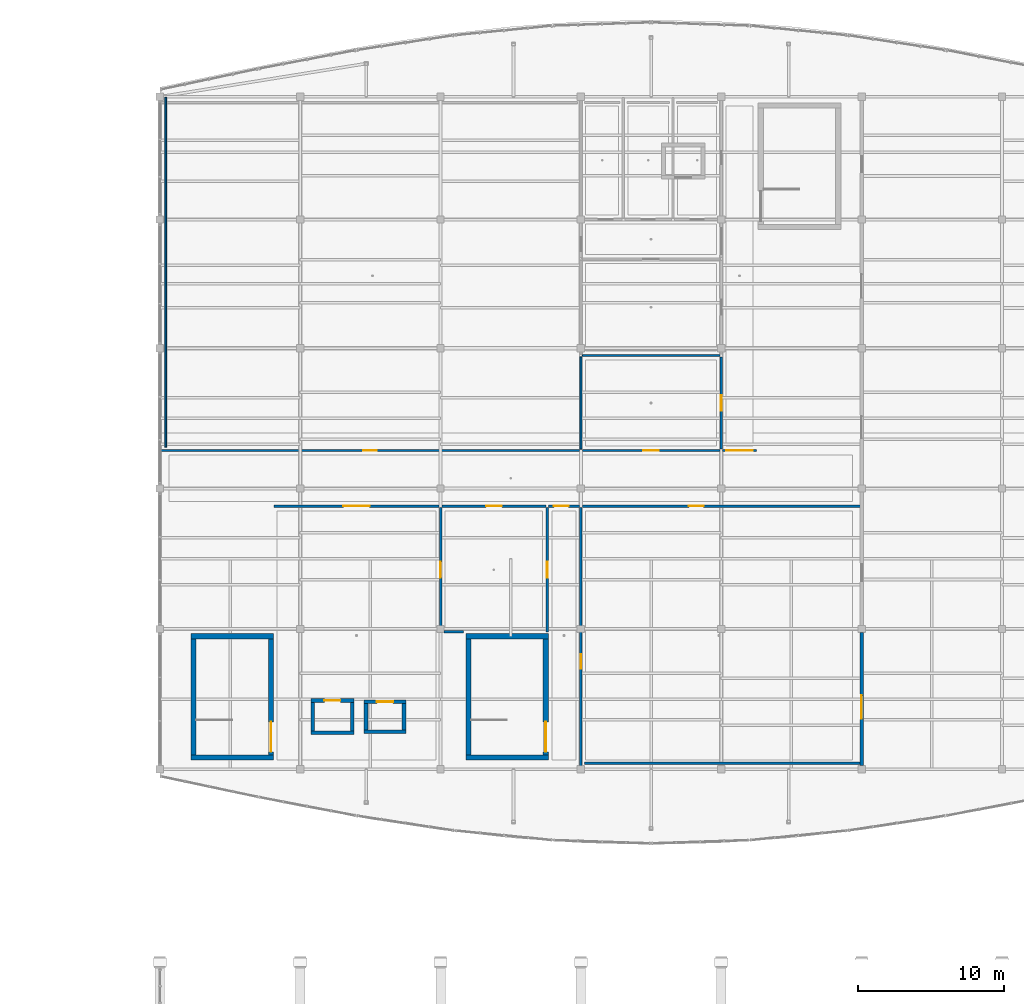
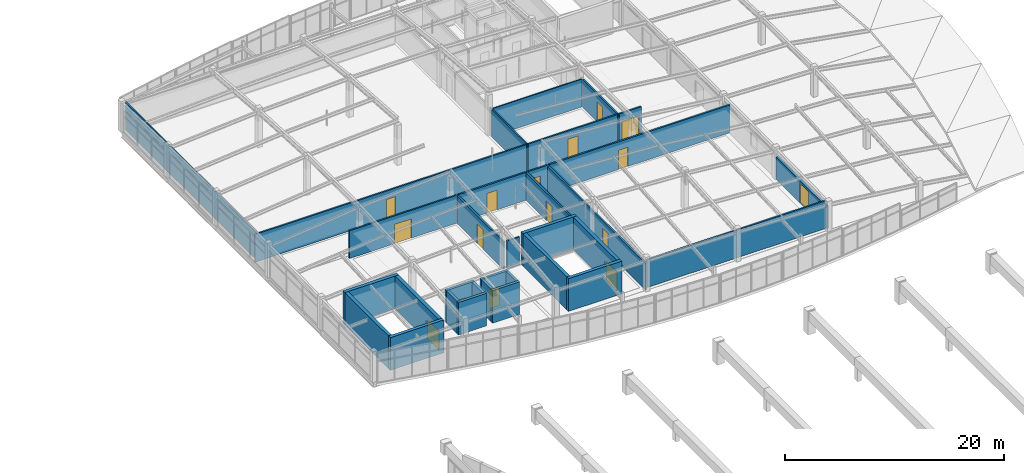
# One storey, part 60 of 65: 33 walls, 16 doors, 16 openings.
"""IFC4 building model written with IfcOpenShell, lengths in metres."""

from ifc_helpers import new_model, si_unit, direction, frame, frame_2d, origin, place, context, subcontext, project, spatial, rectangle, extrude, material, layer, layer_set, type_object, element, fill, save


model = new_model("IFC4")

# Units and contexts
model_context = context("Model", 3, precision=1e-05, world=origin(), true_north=direction((0.0, 1.0)))
body_context = subcontext(model_context, "Body", "Model", "MODEL_VIEW")
ifc_project = project(units=[si_unit("LENGTHUNIT", "METRE"), si_unit("AREAUNIT", "SQUARE_METRE"), si_unit("VOLUMEUNIT", "CUBIC_METRE"), si_unit("PLANEANGLEUNIT", "RADIAN"), si_unit("MASSUNIT", "GRAM", prefix="KILO")], contexts=[model_context])

# Site, building, storey
site_placement = place(None, origin())
site = spatial("IfcSite", under=ifc_project, at=site_placement, CompositionType="ELEMENT")
building_placement = place(site_placement, origin())
building = spatial("IfcBuilding", under=site, at=building_placement, Name="Chalmorin Arch Market", CompositionType="ELEMENT")
storey_placement = place(building_placement, frame((0.0, 0.0, 14.10009765625)))
storey = spatial("IfcBuildingStorey", under=building, at=storey_placement, Name="L03", CompositionType="ELEMENT", Elevation=14.10009765625)

# Wall, opening, door
ifc_material_1 = material(Name="Gypsum Board Partition")
ifc_layer_1 = layer(ifc_material_1, 0.175048828125)
ifc_layer_set_1 = layer_set([ifc_layer_1], Name="Gypsum Board Partition")
wall_type_1 = type_object("IfcWallType", Name="AcousticStudioPartition-175", PredefinedType="PARTITIONING", material=ifc_layer_set_1)
wall_1_placement = place(storey_placement, frame((67.199951171875, 81.39990234375, 0.0), z_axis=(0.0, 0.0, 1.0), x_axis=(0.0, 1.0, 0.0)))
wall_1 = element("IfcWall", 1, at=wall_1_placement, inside=storey, type_object=wall_type_1, Name="ASP-175-588", PredefinedType="PARTITIONING", context=body_context, shape_type="SweptSolid", body=[
    extrude(rectangle(XDim=8.5, YDim=0.175048828125, at=frame_2d((4.25, 0.0))), origin(), (0.0, 0.0, 1.0), 3.099853515625),
])
opening_1_placement = place(wall_1_placement, frame((3.7099609375, 0.0, 0.0)))
opening_1 = element("IfcOpeningElement", 2, at=opening_1_placement, cuts=wall_1, Name="Opening ID-196", PredefinedType="OPENING", context=body_context, shape_type="SweptSolid", body=[
    extrude(rectangle(XDim=1.080078125, YDim=2.179931640625, at=frame_2d((0.5400390625, 1.08984375))), frame((0.0, 0.097412109375, 0.0), z_axis=(0.0, -1.0, 0.0), x_axis=(1.0, 0.0, 0.0)), (0.0, 0.0, 1.0), 0.195068359375),
])
ifc_material_2 = material(Name="Oak Engineered Timber", Category="wood")
door_type_1 = type_object("IfcDoorType", Name="LaboratoryVisionDoor-1080x2180", OperationType="NOTDEFINED", PredefinedType="DOOR", material=ifc_material_2)
door_1_placement = place(opening_1_placement, origin())
door_1 = element("IfcDoor", 3, at=door_1_placement, inside=storey, type_object=door_type_1, Name="ID-196", OperationType="SINGLE_SWING_RIGHT", OverallHeight=2.179931640625, OverallWidth=1.080078125, PredefinedType="DOOR", context=body_context, shape_type="SweptSolid", body=[
    extrude(rectangle(XDim=1.080078125, YDim=2.179931640625, at=frame_2d((0.5400390625, 1.08984375))), frame((0.0, 0.02490234375, 0.0), z_axis=(0.0, -1.0, 0.0), x_axis=(1.0, 0.0, 0.0)), (0.0, 0.0, 1.0), 0.050048828125),
])
fill(opening_1, door_1)

wall_2_placement = place(storey_placement, frame((74.5, 81.39990234375, 0.0), z_axis=(0.0, 0.0, 1.0), x_axis=(0.0, 1.0, 0.0)))
wall_2 = element("IfcWall", 4, at=wall_2_placement, inside=storey, type_object=wall_type_1, Name="ASP-175-590", PredefinedType="PARTITIONING", context=body_context, shape_type="SweptSolid", body=[
    extrude(rectangle(XDim=8.5, YDim=0.175048828125, at=frame_2d((4.25, 0.0))), origin(), (0.0, 0.0, 1.0), 3.099853515625),
])
opening_2_placement = place(wall_2_placement, frame((3.7099609375, 0.0, 0.0)))
opening_2 = element("IfcOpeningElement", 5, at=opening_2_placement, cuts=wall_2, Name="Opening ID-198", PredefinedType="OPENING", context=body_context, shape_type="SweptSolid", body=[
    extrude(rectangle(XDim=1.080078125, YDim=2.179931640625, at=frame_2d((0.5400390625, 1.08984375))), frame((0.0, 0.097412109375, 0.0), z_axis=(0.0, -1.0, 0.0), x_axis=(1.0, 0.0, 0.0)), (0.0, 0.0, 1.0), 0.195068359375),
])
door_2_placement = place(opening_2_placement, origin())
door_2 = element("IfcDoor", 6, at=door_2_placement, inside=storey, type_object=door_type_1, Name="ID-198", OperationType="SINGLE_SWING_RIGHT", OverallHeight=2.179931640625, OverallWidth=1.080078125, PredefinedType="DOOR", context=body_context, shape_type="SweptSolid", body=[
    extrude(rectangle(XDim=1.080078125, YDim=2.179931640625, at=frame_2d((0.5400390625, 1.08984375))), frame((0.0, 0.02490234375, 0.0), z_axis=(0.0, -1.0, 0.0), x_axis=(1.0, 0.0, 0.0)), (0.0, 0.0, 1.0), 0.050048828125),
])
fill(opening_2, door_2)

wall_3_placement = place(storey_placement, frame((76.800048828125, 72.050048828125, 0.0), z_axis=(0.0, 0.0, 1.0), x_axis=(0.0, 1.0, 0.0)))
wall_3 = element("IfcWall", 7, at=wall_3_placement, inside=storey, type_object=wall_type_1, Name="ASP-175-591", PredefinedType="PARTITIONING", context=body_context, shape_type="SweptSolid", body=[
    extrude(rectangle(XDim=17.849853515625, YDim=0.175048828125, at=frame_2d((8.9248046875, 0.0))), origin(), (0.0, 0.0, 1.0), 2.991943359375),
])
opening_3_placement = place(wall_3_placement, frame((6.81201171875, 0.0, 0.0)))
opening_3 = element("IfcOpeningElement", 8, at=opening_3_placement, cuts=wall_3, Name="Opening ID-199", PredefinedType="OPENING", context=body_context, shape_type="SweptSolid", body=[
    extrude(rectangle(XDim=1.0, YDim=2.14990234375, at=frame_2d((0.5, 1.074951171875))), frame((0.0, 0.097412109375, 0.0), z_axis=(0.0, -1.0, 0.0), x_axis=(1.0, 0.0, 0.0)), (0.0, 0.0, 1.0), 0.195068359375),
])
door_type_2 = type_object("IfcDoorType", Name="ClassroomAcousticDoor-1000x2150", OperationType="NOTDEFINED", PredefinedType="DOOR", material=ifc_material_2)
door_3_placement = place(opening_3_placement, origin())
door_3 = element("IfcDoor", 9, at=door_3_placement, inside=storey, type_object=door_type_2, Name="ID-199", OperationType="SINGLE_SWING_LEFT", OverallHeight=2.14990234375, OverallWidth=1.0, PredefinedType="DOOR", context=body_context, shape_type="SweptSolid", body=[
    extrude(rectangle(XDim=1.0, YDim=2.14990234375, at=frame_2d((0.5, 1.074951171875))), frame((0.0, 0.02490234375, 0.0), z_axis=(0.0, -1.0, 0.0), x_axis=(1.0, 0.0, 0.0)), (0.0, 0.0, 1.0), 0.050048828125),
])
fill(opening_3, door_3)

wall_4_placement = place(storey_placement, frame((67.300048828125, 90.0, 0.0), z_axis=(0.0, 0.0, 1.0), x_axis=(1.0, 0.0, 0.0)))
wall_4 = element("IfcWall", 10, at=wall_4_placement, inside=storey, type_object=wall_type_1, Name="ASP-175-593", PredefinedType="PARTITIONING", context=body_context, shape_type="SweptSolid", body=[
    extrude(rectangle(XDim=7.099853515625, YDim=0.175048828125, at=frame_2d((3.5498046875, 0.0))), origin(), (0.0, 0.0, 1.0), 3.099853515625),
])
opening_4_placement = place(wall_4_placement, frame((3.010009765625, 0.0, 0.0)))
opening_4 = element("IfcOpeningElement", 11, at=opening_4_placement, cuts=wall_4, Name="Opening ID-201", PredefinedType="OPENING", context=body_context, shape_type="SweptSolid", body=[
    extrude(rectangle(XDim=1.080078125, YDim=2.179931640625, at=frame_2d((0.5400390625, 1.08984375))), frame((0.0, 0.097412109375, 0.0), z_axis=(0.0, -1.0, 0.0), x_axis=(1.0, 0.0, 0.0)), (0.0, 0.0, 1.0), 0.195068359375),
])
door_4_placement = place(opening_4_placement, origin())
door_4 = element("IfcDoor", 12, at=door_4_placement, inside=storey, type_object=door_type_1, Name="ID-201", OperationType="SINGLE_SWING_LEFT", OverallHeight=2.179931640625, OverallWidth=1.080078125, PredefinedType="DOOR", context=body_context, shape_type="SweptSolid", body=[
    extrude(rectangle(XDim=1.080078125, YDim=2.179931640625, at=frame_2d((0.5400390625, 1.08984375))), frame((0.0, 0.02490234375, 0.0), z_axis=(0.0, -1.0, 0.0), x_axis=(1.0, 0.0, 0.0)), (0.0, 0.0, 1.0), 0.050048828125),
])
fill(opening_4, door_4)

wall_5_placement = place(storey_placement, frame((76.89990234375, 90.0, 0.0), z_axis=(0.0, 0.0, 1.0), x_axis=(1.0, 0.0, 0.0)))
wall_5 = element("IfcWall", 13, at=wall_5_placement, inside=storey, type_object=wall_type_1, Name="ASP-175-594", PredefinedType="PARTITIONING", context=body_context, shape_type="SweptSolid", body=[
    extrude(rectangle(XDim=19.050048828125, YDim=0.175048828125, at=frame_2d((9.52490234375, 0.0))), origin(), (0.0, 0.0, 1.0), 3.099853515625),
])
opening_5_placement = place(wall_5_placement, frame((7.2919921875, 0.0, 0.0)))
opening_5 = element("IfcOpeningElement", 14, at=opening_5_placement, cuts=wall_5, Name="Opening ID-202", PredefinedType="OPENING", context=body_context, shape_type="SweptSolid", body=[
    extrude(rectangle(XDim=1.0, YDim=2.14990234375, at=frame_2d((0.5, 1.074951171875))), frame((0.0, 0.097412109375, 0.0), z_axis=(0.0, -1.0, 0.0), x_axis=(1.0, 0.0, 0.0)), (0.0, 0.0, 1.0), 0.195068359375),
])
door_5_placement = place(opening_5_placement, origin())
door_5 = element("IfcDoor", 15, at=door_5_placement, inside=storey, type_object=door_type_2, Name="ID-202", OperationType="SINGLE_SWING_RIGHT", OverallHeight=2.14990234375, OverallWidth=1.0, PredefinedType="DOOR", context=body_context, shape_type="SweptSolid", body=[
    extrude(rectangle(XDim=1.0, YDim=2.14990234375, at=frame_2d((0.5, 1.074951171875))), frame((0.0, 0.02490234375, 0.0), z_axis=(0.0, -1.0, 0.0), x_axis=(1.0, 0.0, 0.0)), (0.0, 0.0, 1.0), 0.050048828125),
])
fill(opening_5, door_5)

# Walls
wall_6_placement = place(storey_placement, frame((67.43994140625, 81.39990234375, 0.0), z_axis=(0.0, 0.0, 1.0), x_axis=(1.0, 0.0, 0.0)))
element("IfcWall", 16, at=wall_6_placement, inside=storey, type_object=wall_type_1, Name="ASP-175-613", PredefinedType="PARTITIONING", context=body_context, shape_type="SweptSolid", body=[
    extrude(rectangle(XDim=1.344970703125, YDim=0.175048828125, at=frame_2d((0.67236328125, 0.0))), origin(), (0.0, 0.0, 1.0), 3.099853515625),
])
wall_7_placement = place(storey_placement, frame((77.0400390625, 72.39990234375, 0.0), z_axis=(0.0, 0.0, 1.0), x_axis=(1.0, 0.0, 0.0)))
element("IfcWall", 17, at=wall_7_placement, inside=storey, type_object=wall_type_1, Name="ASP-175-614", PredefinedType="PARTITIONING", context=body_context, shape_type="SweptSolid", body=[
    extrude(rectangle(XDim=18.909912109375, YDim=0.175048828125, at=frame_2d((9.455078125, 0.0))), origin(), (0.0, 0.0, 1.0), 3.099853515625),
])
ifc_material_3 = material(Name="Concrete C40/50", Category="concrete")
ifc_layer_2 = layer(ifc_material_3, 0.35009765625)
ifc_layer_set_2 = layer_set([ifc_layer_2], Name="Concrete C40/50")
wall_type_2 = type_object("IfcWallType", Name="CoreShearWall-350", PredefinedType="SHEAR", material=ifc_layer_set_2)
for number, where, z_axis, x_axis, name in (
    (18, (55.77490234375, 72.800048828125, 0.0), (0.0, 0.0, 1.0), (-1.0, 0.0, 0.0), "CSW-350-081"),
    (19, (50.125, 81.10009765625, 0.0), (0.0, 0.0, 1.0), (1.0, 0.0, 0.0), "CSW-350-082"),
):
    element("IfcWall", number, at=place(storey_placement, frame(where, z_axis=z_axis, x_axis=x_axis)), inside=storey, type_object=wall_type_2, Name=name, PredefinedType="SHEAR", context=body_context, shape_type="SweptSolid", body=[
        extrude(rectangle(XDim=5.64990234375, YDim=0.35009765625, at=frame_2d((2.824951171875, 0.0))), origin(), (0.0, 0.0, 1.0), 3.64990234375),
    ])
wall_8_placement = place(storey_placement, frame((50.300048828125, 72.97509765625, 0.0), z_axis=(0.0, 0.0, 1.0), x_axis=(0.0, 1.0, 0.0)))
element("IfcWall", 20, at=wall_8_placement, inside=storey, type_object=wall_type_2, Name="CSW-350-083", PredefinedType="SHEAR", context=body_context, shape_type="SweptSolid", body=[
    extrude(rectangle(XDim=7.949951171875, YDim=0.35009765625, at=frame_2d((3.97509765625, 0.0))), origin(), (0.0, 0.0, 1.0), 3.64990234375),
])

# Wall, opening, door
wall_9_placement = place(storey_placement, frame((55.60009765625, 80.925048828125, 0.0), z_axis=(0.0, 0.0, 1.0), x_axis=(0.0, -1.0, 0.0)))
wall_9 = element("IfcWall", 21, at=wall_9_placement, inside=storey, type_object=wall_type_2, Name="CSW-350-084", PredefinedType="SHEAR", context=body_context, shape_type="SweptSolid", body=[
    extrude(rectangle(XDim=7.949951171875, YDim=0.35009765625, at=frame_2d((3.97509765625, 0.0))), origin(), (0.0, 0.0, 1.0), 3.64990234375),
])
opening_6_placement = place(wall_9_placement, frame((5.679931640625, 0.0, 0.0)))
opening_6 = element("IfcOpeningElement", 22, at=opening_6_placement, cuts=wall_9, Name="Opening FD-SC5-L03", PredefinedType="OPENING", context=body_context, shape_type="SweptSolid", body=[
    extrude(rectangle(XDim=2.050048828125, YDim=2.14990234375, at=frame_2d((1.02490234375, 1.074951171875))), frame((0.0, 0.18505859375, 0.0), z_axis=(0.0, -1.0, 0.0), x_axis=(1.0, 0.0, 0.0)), (0.0, 0.0, 1.0), 0.3701171875),
])
ifc_material_4 = material(Name="Galvanised Steel", Category="steel")
door_type_3 = type_object("IfcDoorType", Name="DoubleFireExitDoor-2050x2150", OperationType="DOUBLE_DOOR_SINGLE_SWING", PredefinedType="DOOR", material=ifc_material_4)
door_6_placement = place(opening_6_placement, origin())
door_6 = element("IfcDoor", 23, at=door_6_placement, inside=storey, type_object=door_type_3, Name="FD-SC5-L03", OperationType="DOUBLE_DOOR_SINGLE_SWING", OverallHeight=2.14990234375, OverallWidth=2.050048828125, PredefinedType="DOOR", context=body_context, shape_type="SweptSolid", body=[
    extrude(rectangle(XDim=2.050048828125, YDim=2.14990234375, at=frame_2d((1.02490234375, 1.074951171875))), frame((0.0, 0.02490234375, 0.0), z_axis=(0.0, -1.0, 0.0), x_axis=(1.0, 0.0, 0.0)), (0.0, 0.0, 1.0), 0.050048828125),
])
fill(opening_6, door_6)

# Walls
for number, where, z_axis, x_axis, name in (
    (24, (74.574951171875, 72.800048828125, 0.0), (0.0, 0.0, 1.0), (-1.0, 0.0, 0.0), "CSW-350-121"),
    (25, (68.925048828125, 81.10009765625, 0.0), (0.0, 0.0, 1.0), (1.0, 0.0, 0.0), "CSW-350-122"),
):
    element("IfcWall", number, at=place(storey_placement, frame(where, z_axis=z_axis, x_axis=x_axis)), inside=storey, type_object=wall_type_2, Name=name, PredefinedType="SHEAR", context=body_context, shape_type="SweptSolid", body=[
        extrude(rectangle(XDim=5.64990234375, YDim=0.35009765625, at=frame_2d((2.824951171875, 0.0))), origin(), (0.0, 0.0, 1.0), 3.64990234375),
    ])
wall_10_placement = place(storey_placement, frame((69.10009765625, 72.97509765625, 0.0), z_axis=(0.0, 0.0, 1.0), x_axis=(0.0, 1.0, 0.0)))
element("IfcWall", 26, at=wall_10_placement, inside=storey, type_object=wall_type_2, Name="CSW-350-123", PredefinedType="SHEAR", context=body_context, shape_type="SweptSolid", body=[
    extrude(rectangle(XDim=7.949951171875, YDim=0.35009765625, at=frame_2d((3.97509765625, 0.0))), origin(), (0.0, 0.0, 1.0), 3.64990234375),
])

# Wall, opening, door
wall_11_placement = place(storey_placement, frame((74.39990234375, 80.925048828125, 0.0), z_axis=(0.0, 0.0, 1.0), x_axis=(0.0, -1.0, 0.0)))
wall_11 = element("IfcWall", 27, at=wall_11_placement, inside=storey, type_object=wall_type_2, Name="CSW-350-124", PredefinedType="SHEAR", context=body_context, shape_type="SweptSolid", body=[
    extrude(rectangle(XDim=7.949951171875, YDim=0.35009765625, at=frame_2d((3.97509765625, 0.0))), origin(), (0.0, 0.0, 1.0), 3.64990234375),
])
opening_7_placement = place(wall_11_placement, frame((5.679931640625, 0.0, 0.0)))
opening_7 = element("IfcOpeningElement", 28, at=opening_7_placement, cuts=wall_11, Name="Opening FD-SC7-L03", PredefinedType="OPENING", context=body_context, shape_type="SweptSolid", body=[
    extrude(rectangle(XDim=2.050048828125, YDim=2.14990234375, at=frame_2d((1.02490234375, 1.074951171875))), frame((0.0, 0.18505859375, 0.0), z_axis=(0.0, -1.0, 0.0), x_axis=(1.0, 0.0, 0.0)), (0.0, 0.0, 1.0), 0.3701171875),
])
door_7_placement = place(opening_7_placement, origin())
door_7 = element("IfcDoor", 29, at=door_7_placement, inside=storey, type_object=door_type_3, Name="FD-SC7-L03", OperationType="DOUBLE_DOOR_SINGLE_SWING", OverallHeight=2.14990234375, OverallWidth=2.050048828125, PredefinedType="DOOR", context=body_context, shape_type="SweptSolid", body=[
    extrude(rectangle(XDim=2.050048828125, YDim=2.14990234375, at=frame_2d((1.02490234375, 1.074951171875))), frame((0.0, 0.02490234375, 0.0), z_axis=(0.0, -1.0, 0.0), x_axis=(1.0, 0.0, 0.0)), (0.0, 0.0, 1.0), 0.050048828125),
])
fill(opening_7, door_7)

ifc_layer_3 = layer(ifc_material_1, 0.159912109375)
ifc_layer_set_3 = layer_set([ifc_layer_3], Name="Gypsum Board Partition")
wall_type_3 = type_object("IfcWallType", Name="CorridorRatedPartition-160", PredefinedType="PARTITIONING", material=ifc_layer_set_3)
wall_12_placement = place(storey_placement, frame((55.800048828125, 90.0, 0.0), z_axis=(0.0, 0.0, 1.0), x_axis=(1.0, 0.0, 0.0)))
wall_12 = element("IfcWall", 30, at=wall_12_placement, inside=storey, type_object=wall_type_3, Name="CRP-160-589", PredefinedType="PARTITIONING", context=body_context, shape_type="SweptSolid", body=[
    extrude(rectangle(XDim=11.300048828125, YDim=0.159912109375, at=frame_2d((5.64990234375, 0.0))), origin(), (0.0, 0.0, 1.0), 3.099853515625),
])
opening_8_placement = place(wall_12_placement, frame((4.75, 0.0, 0.0)))
opening_8 = element("IfcOpeningElement", 31, at=opening_8_placement, cuts=wall_12, Name="Opening ID-197", PredefinedType="OPENING", context=body_context, shape_type="SweptSolid", body=[
    extrude(rectangle(XDim=1.800048828125, YDim=2.14990234375, at=frame_2d((0.89990234375, 1.074951171875))), frame((0.0, 0.08984375, 0.0), z_axis=(0.0, -1.0, 0.0), x_axis=(1.0, 0.0, 0.0)), (0.0, 0.0, 1.0), 0.179931640625),
])
door_type_4 = type_object("IfcDoorType", Name="CorridorFireDoubleDoor-1800x2150", OperationType="DOUBLE_DOOR_SINGLE_SWING", PredefinedType="DOOR", material=ifc_material_4)
door_8_placement = place(opening_8_placement, origin())
door_8 = element("IfcDoor", 32, at=door_8_placement, inside=storey, type_object=door_type_4, Name="ID-197", OperationType="DOUBLE_DOOR_SINGLE_SWING", OverallHeight=2.14990234375, OverallWidth=1.800048828125, PredefinedType="DOOR", context=body_context, shape_type="SweptSolid", body=[
    extrude(rectangle(XDim=1.800048828125, YDim=2.14990234375, at=frame_2d((0.89990234375, 1.074951171875))), frame((0.0, 0.02490234375, 0.0), z_axis=(0.0, -1.0, 0.0), x_axis=(1.0, 0.0, 0.0)), (0.0, 0.0, 1.0), 0.050048828125),
])
fill(opening_8, door_8)

wall_13_placement = place(storey_placement, frame((74.60009765625, 90.0, 0.0), z_axis=(0.0, 0.0, 1.0), x_axis=(1.0, 0.0, 0.0)))
wall_13 = element("IfcWall", 33, at=wall_13_placement, inside=storey, type_object=wall_type_3, Name="CRP-160-592", PredefinedType="PARTITIONING", context=body_context, shape_type="SweptSolid", body=[
    extrude(rectangle(XDim=2.099853515625, YDim=0.159912109375, at=frame_2d((1.0498046875, 0.0))), origin(), (0.0, 0.0, 1.0), 3.099853515625),
])
opening_9_placement = place(wall_13_placement, frame((0.360107421875, 0.0, 0.0)))
opening_9 = element("IfcOpeningElement", 34, at=opening_9_placement, cuts=wall_13, Name="Opening ID-200", PredefinedType="OPENING", context=body_context, shape_type="SweptSolid", body=[
    extrude(rectangle(XDim=1.0, YDim=2.14990234375, at=frame_2d((0.5, 1.074951171875))), frame((0.0, 0.08984375, 0.0), z_axis=(0.0, -1.0, 0.0), x_axis=(1.0, 0.0, 0.0)), (0.0, 0.0, 1.0), 0.179931640625),
])
door_9_placement = place(opening_9_placement, origin())
door_9 = element("IfcDoor", 35, at=door_9_placement, inside=storey, type_object=door_type_2, Name="ID-200", OperationType="SINGLE_SWING_RIGHT", OverallHeight=2.14990234375, OverallWidth=1.0, PredefinedType="DOOR", context=body_context, shape_type="SweptSolid", body=[
    extrude(rectangle(XDim=1.0, YDim=2.14990234375, at=frame_2d((0.5, 1.074951171875))), frame((0.0, 0.02490234375, 0.0), z_axis=(0.0, -1.0, 0.0), x_axis=(1.0, 0.0, 0.0)), (0.0, 0.0, 1.0), 0.050048828125),
])
fill(opening_9, door_9)

wall_14_placement = place(storey_placement, frame((86.5, 93.800048828125, 0.0), z_axis=(0.0, 0.0, 1.0), x_axis=(1.0, 0.0, 0.0)))
wall_14 = element("IfcWall", 36, at=wall_14_placement, inside=storey, type_object=wall_type_3, Name="CRP-160-595", PredefinedType="PARTITIONING", context=body_context, shape_type="SweptSolid", body=[
    extrude(rectangle(XDim=2.300048828125, YDim=0.159912109375, at=frame_2d((1.14990234375, 0.0))), origin(), (0.0, 0.0, 1.0), 3.099853515625),
])
opening_10_placement = place(wall_14_placement, frame((0.25, 0.0, 0.0)))
opening_10 = element("IfcOpeningElement", 37, at=opening_10_placement, cuts=wall_14, Name="Opening ID-203", PredefinedType="OPENING", context=body_context, shape_type="SweptSolid", body=[
    extrude(rectangle(XDim=1.800048828125, YDim=2.14990234375, at=frame_2d((0.89990234375, 1.074951171875))), frame((0.0, 0.08984375, 0.0), z_axis=(0.0, -1.0, 0.0), x_axis=(1.0, 0.0, 0.0)), (0.0, 0.0, 1.0), 0.179931640625),
])
door_10_placement = place(opening_10_placement, origin())
door_10 = element("IfcDoor", 38, at=door_10_placement, inside=storey, type_object=door_type_4, Name="ID-203", OperationType="DOUBLE_DOOR_SINGLE_SWING", OverallHeight=2.14990234375, OverallWidth=1.800048828125, PredefinedType="DOOR", context=body_context, shape_type="SweptSolid", body=[
    extrude(rectangle(XDim=1.800048828125, YDim=2.14990234375, at=frame_2d((0.89990234375, 1.074951171875))), frame((0.0, 0.02490234375, 0.0), z_axis=(0.0, -1.0, 0.0), x_axis=(1.0, 0.0, 0.0)), (0.0, 0.0, 1.0), 0.050048828125),
])
fill(opening_10, door_10)

wall_15_placement = place(storey_placement, frame((48.050048828125, 93.800048828125, 0.0), z_axis=(0.0, 0.0, 1.0), x_axis=(1.0, 0.0, 0.0)))
wall_15 = element("IfcWall", 39, at=wall_15_placement, inside=storey, type_object=wall_type_3, Name="CRP-160-596", PredefinedType="PARTITIONING", context=body_context, shape_type="SweptSolid", body=[
    extrude(rectangle(XDim=28.64990234375, YDim=0.159912109375, at=frame_2d((14.324951171875, 0.0))), origin(), (0.0, 0.0, 1.0), 3.099853515625),
])
opening_11_placement = place(wall_15_placement, frame((13.85009765625, 0.0, 0.0)))
opening_11 = element("IfcOpeningElement", 40, at=opening_11_placement, cuts=wall_15, Name="Opening ID-204", PredefinedType="OPENING", context=body_context, shape_type="SweptSolid", body=[
    extrude(rectangle(XDim=0.949951171875, YDim=2.14990234375, at=frame_2d((0.47509765625, 1.074951171875))), frame((0.0, 0.08984375, 0.0), z_axis=(0.0, -1.0, 0.0), x_axis=(1.0, 0.0, 0.0)), (0.0, 0.0, 1.0), 0.179931640625),
])
door_type_5 = type_object("IfcDoorType", Name="OfficeTimberDoor-950x2150", OperationType="NOTDEFINED", PredefinedType="DOOR", material=ifc_material_2)
door_11_placement = place(opening_11_placement, origin())
door_11 = element("IfcDoor", 41, at=door_11_placement, inside=storey, type_object=door_type_5, Name="ID-204", OperationType="SINGLE_SWING_RIGHT", OverallHeight=2.14990234375, OverallWidth=0.949951171875, PredefinedType="DOOR", context=body_context, shape_type="SweptSolid", body=[
    extrude(rectangle(XDim=0.949951171875, YDim=2.14990234375, at=frame_2d((0.47509765625, 1.074951171875))), frame((0.0, 0.02490234375, 0.0), z_axis=(0.0, -1.0, 0.0), x_axis=(1.0, 0.0, 0.0)), (0.0, 0.0, 1.0), 0.050048828125),
])
fill(opening_11, door_11)

wall_16_placement = place(storey_placement, frame((76.89990234375, 93.800048828125, 0.0), z_axis=(0.0, 0.0, 1.0), x_axis=(1.0, 0.0, 0.0)))
wall_16 = element("IfcWall", 42, at=wall_16_placement, inside=storey, type_object=wall_type_3, Name="CRP-160-597", PredefinedType="PARTITIONING", context=body_context, shape_type="SweptSolid", body=[
    extrude(rectangle(XDim=9.400146484375, YDim=0.159912109375, at=frame_2d((4.7001953125, 0.0))), origin(), (0.0, 0.0, 1.0), 3.099853515625),
])
opening_12_placement = place(wall_16_placement, frame((4.179931640625, 0.0, 0.0)))
opening_12 = element("IfcOpeningElement", 43, at=opening_12_placement, cuts=wall_16, Name="Opening ID-205", PredefinedType="OPENING", context=body_context, shape_type="SweptSolid", body=[
    extrude(rectangle(XDim=1.0400390625, YDim=2.179931640625, at=frame_2d((0.52001953125, 1.08984375))), frame((0.0, 0.08984375, 0.0), z_axis=(0.0, -1.0, 0.0), x_axis=(1.0, 0.0, 0.0)), (0.0, 0.0, 1.0), 0.179931640625),
])
door_type_6 = type_object("IfcDoorType", Name="CommunityRoomDoor-1040x2180", OperationType="NOTDEFINED", PredefinedType="DOOR", material=ifc_material_2)
door_12_placement = place(opening_12_placement, origin())
door_12 = element("IfcDoor", 44, at=door_12_placement, inside=storey, type_object=door_type_6, Name="ID-205", OperationType="SINGLE_SWING_LEFT", OverallHeight=2.179931640625, OverallWidth=1.0400390625, PredefinedType="DOOR", context=body_context, shape_type="SweptSolid", body=[
    extrude(rectangle(XDim=1.0400390625, YDim=2.179931640625, at=frame_2d((0.52001953125, 1.08984375))), frame((0.0, 0.02490234375, 0.0), z_axis=(0.0, -1.0, 0.0), x_axis=(1.0, 0.0, 0.0)), (0.0, 0.0, 1.0), 0.050048828125),
])
fill(opening_12, door_12)

wall_17_placement = place(storey_placement, frame((86.39990234375, 93.89990234375, 0.0), z_axis=(0.0, 0.0, 1.0), x_axis=(0.0, 1.0, 0.0)))
wall_17 = element("IfcWall", 45, at=wall_17_placement, inside=storey, type_object=wall_type_3, Name="CRP-160-601", PredefinedType="PARTITIONING", context=body_context, shape_type="SweptSolid", body=[
    extrude(rectangle(XDim=6.300048828125, YDim=0.159912109375, at=frame_2d((3.14990234375, 0.0))), origin(), (0.0, 0.0, 1.0), 3.099853515625),
])
opening_13_placement = place(wall_17_placement, frame((2.6298828125, 0.0, 0.0)))
opening_13 = element("IfcOpeningElement", 46, at=opening_13_placement, cuts=wall_17, Name="Opening ID-209", PredefinedType="OPENING", context=body_context, shape_type="SweptSolid", body=[
    extrude(rectangle(XDim=1.0400390625, YDim=2.179931640625, at=frame_2d((0.52001953125, 1.08984375))), frame((0.0, 0.08984375, 0.0), z_axis=(0.0, -1.0, 0.0), x_axis=(1.0, 0.0, 0.0)), (0.0, 0.0, 1.0), 0.179931640625),
])
door_13_placement = place(opening_13_placement, origin())
door_13 = element("IfcDoor", 47, at=door_13_placement, inside=storey, type_object=door_type_6, Name="ID-209", OperationType="SINGLE_SWING_LEFT", OverallHeight=2.179931640625, OverallWidth=1.0400390625, PredefinedType="DOOR", context=body_context, shape_type="SweptSolid", body=[
    extrude(rectangle(XDim=1.0400390625, YDim=2.179931640625, at=frame_2d((0.52001953125, 1.08984375))), frame((0.0, 0.02490234375, 0.0), z_axis=(0.0, -1.0, 0.0), x_axis=(1.0, 0.0, 0.0)), (0.0, 0.0, 1.0), 0.050048828125),
])
fill(opening_13, door_13)

# Walls
ifc_material_5 = material(Name="Powder-coated Aluminium Panel", Category="aluminium")
ifc_layer_4 = layer(ifc_material_5, 0.125)
ifc_layer_set_4 = layer_set([ifc_layer_4], Name="Powder-coated Aluminium Panel")
wall_type_4 = type_object("IfcWallType", Name="DemountableStudStallPartition-125", PredefinedType="PARTITIONING", material=ifc_layer_set_4)
wall_18_placement = place(storey_placement, frame((76.800048828125, 93.89990234375, 0.0), z_axis=(0.0, 0.0, 1.0), x_axis=(0.0, 1.0, 0.0)))
element("IfcWall", 48, at=wall_18_placement, inside=storey, type_object=wall_type_4, Name="DSP-125-605", PredefinedType="PARTITIONING", context=body_context, shape_type="SweptSolid", body=[
    extrude(rectangle(XDim=6.300048828125, YDim=0.125, at=frame_2d((3.14990234375, 0.0))), origin(), (0.0, 0.0, 1.0), 3.099853515625),
])
wall_19_placement = place(storey_placement, frame((76.89990234375, 100.300048828125, 0.0), z_axis=(0.0, 0.0, 1.0), x_axis=(1.0, 0.0, 0.0)))
element("IfcWall", 49, at=wall_19_placement, inside=storey, type_object=wall_type_4, Name="DSP-125-607", PredefinedType="PARTITIONING", context=body_context, shape_type="SweptSolid", body=[
    extrude(rectangle(XDim=9.400146484375, YDim=0.125, at=frame_2d((4.7001953125, 0.0))), origin(), (0.0, 0.0, 1.0), 3.099853515625),
])
wall_20_placement = place(storey_placement, frame((48.39990234375, 94.0400390625, 0.0), z_axis=(0.0, 0.0, 1.0), x_axis=(0.0, 1.0, 0.0)))
element("IfcWall", 50, at=wall_20_placement, inside=storey, type_object=wall_type_4, Name="DSP-125-616", PredefinedType="PARTITIONING", context=body_context, shape_type="SweptSolid", body=[
    extrude(rectangle(XDim=23.909912109375, YDim=0.125, at=frame_2d((11.955078125, 0.0))), origin(), (0.0, 0.0, 1.0), 3.099853515625),
])

# Wall, opening, door
ifc_material_6 = material(Name="Concrete C30/37", Category="concrete")
ifc_layer_5 = layer(ifc_material_6, 0.25)
ifc_layer_set_5 = layer_set([ifc_layer_5], Name="Concrete C30/37")
wall_type_5 = type_object("IfcWallType", Name="InsulatedMasonryBackupWall-250", PredefinedType="STANDARD", material=ifc_layer_set_5)
wall_21_placement = place(storey_placement, frame((96.0, 72.25, 0.0), z_axis=(0.0, 0.0, 1.0), x_axis=(0.0, 1.0, 0.0)))
wall_21 = element("IfcWall", 51, at=wall_21_placement, inside=storey, type_object=wall_type_5, Name="EBW-250-194", PredefinedType="STANDARD", context=body_context, shape_type="SweptSolid", body=[
    extrude(rectangle(XDim=9.10009765625, YDim=0.25, at=frame_2d((4.550048828125, 0.0))), origin(), (0.0, 0.0, 1.0), 2.52587890625),
])
opening_14_placement = place(wall_21_placement, frame((3.199951171875, 0.0, 0.0)))
opening_14 = element("IfcOpeningElement", 52, at=opening_14_placement, cuts=wall_21, Name="Opening ED-048", PredefinedType="OPENING", context=body_context, shape_type="SweptSolid", body=[
    extrude(rectangle(XDim=1.60009765625, YDim=2.199951171875, at=frame_2d((0.800048828125, 1.10009765625))), frame((0.0, 0.135009765625, 0.0), z_axis=(0.0, -1.0, 0.0), x_axis=(1.0, 0.0, 0.0)), (0.0, 0.0, 1.0), 0.27001953125),
])
ifc_material_7 = material(Name="Aluminium 6063-T6", Category="aluminium")
door_type_7 = type_object("IfcDoorType", Name="TerraceGlazedDoubleDoor-1600x2200", OperationType="DOUBLE_DOOR_SINGLE_SWING", PredefinedType="DOOR", material=ifc_material_7)
door_14_placement = place(opening_14_placement, origin())
door_14 = element("IfcDoor", 53, at=door_14_placement, inside=storey, type_object=door_type_7, Name="ED-048", OperationType="DOUBLE_DOOR_SINGLE_SWING", OverallHeight=2.199951171875, OverallWidth=1.60009765625, PredefinedType="DOOR", context=body_context, shape_type="SweptSolid", body=[
    extrude(rectangle(XDim=1.60009765625, YDim=2.199951171875, at=frame_2d((0.800048828125, 1.10009765625))), frame((0.0, 0.02490234375, 0.0), z_axis=(0.0, -1.0, 0.0), x_axis=(1.0, 0.0, 0.0)), (0.0, 0.0, 1.0), 0.050048828125),
])
fill(opening_14, door_14)

# Wall
ifc_material_8 = material(Name="Concrete C35/45", Category="concrete")
ifc_layer_6 = layer(ifc_material_8, 0.25)
ifc_layer_set_6 = layer_set([ifc_layer_6], Name="Concrete C35/45")
wall_type_6 = type_object("IfcWallType", Name="ShaftEnclosureWall-250", PredefinedType="SOLIDWALL", material=ifc_layer_set_6)
wall_22_placement = place(storey_placement, frame((61.27490234375, 74.5, 0.0), z_axis=(0.0, 0.0, 1.0), x_axis=(-1.0, 0.0, 0.0)))
element("IfcWall", 54, at=wall_22_placement, inside=storey, type_object=wall_type_6, Name="SEW-250-190", PredefinedType="SOLIDWALL", context=body_context, shape_type="SweptSolid", body=[
    extrude(rectangle(XDim=2.949951171875, YDim=0.25, at=frame_2d((1.47509765625, 0.0))), origin(), (0.0, 0.0, 1.0), 3.64990234375),
])

# Wall, opening, door
wall_23_placement = place(storey_placement, frame((58.324951171875, 76.699951171875, 0.0), z_axis=(0.0, 0.0, 1.0), x_axis=(1.0, 0.0, 0.0)))
wall_23 = element("IfcWall", 55, at=wall_23_placement, inside=storey, type_object=wall_type_6, Name="SEW-250-191", PredefinedType="SOLIDWALL", context=body_context, shape_type="SweptSolid", body=[
    extrude(rectangle(XDim=2.949951171875, YDim=0.25, at=frame_2d((1.47509765625, 0.0))), origin(), (0.0, 0.0, 1.0), 3.64990234375),
])
opening_15_placement = place(wall_23_placement, frame((0.925048828125, 0.0, 0.0)))
opening_15 = element("IfcOpeningElement", 56, at=opening_15_placement, cuts=wall_23, Name="Opening LD-LF-FF1-L03", PredefinedType="OPENING", context=body_context, shape_type="SweptSolid", body=[
    extrude(rectangle(XDim=1.10009765625, YDim=2.14990234375, at=frame_2d((0.550048828125, 1.074951171875))), frame((0.0, 0.135009765625, 0.0), z_axis=(0.0, -1.0, 0.0), x_axis=(1.0, 0.0, 0.0)), (0.0, 0.0, 1.0), 0.27001953125),
])
ifc_material_9 = material(Name="Stainless Steel 316", Category="steel")
door_type_8 = type_object("IfcDoorType", Name="LiftLandingSlidingDoor-1100x2150", OperationType="DOUBLE_DOOR_SLIDING", PredefinedType="DOOR", material=ifc_material_9)
door_15_placement = place(opening_15_placement, origin())
door_15 = element("IfcDoor", 57, at=door_15_placement, inside=storey, type_object=door_type_8, Name="LD-LF-FF1-L03", OperationType="DOUBLE_DOOR_SLIDING", OverallHeight=2.14990234375, OverallWidth=1.10009765625, PredefinedType="DOOR", context=body_context, shape_type="SweptSolid", body=[
    extrude(rectangle(XDim=1.10009765625, YDim=2.14990234375, at=frame_2d((0.550048828125, 1.074951171875))), frame((0.0, 0.02490234375, 0.0), z_axis=(0.0, -1.0, 0.0), x_axis=(1.0, 0.0, 0.0)), (0.0, 0.0, 1.0), 0.050048828125),
])
fill(opening_15, door_15)

# Walls
for number, where, z_axis, x_axis, name in (
    (58, (58.449951171875, 74.625, 0.0), (0.0, 0.0, 1.0), (0.0, 1.0, 0.0), "SEW-250-192"),
    (59, (61.14990234375, 76.574951171875, 0.0), (0.0, 0.0, 1.0), (0.0, -1.0, 0.0), "SEW-250-193"),
):
    element("IfcWall", number, at=place(storey_placement, frame(where, z_axis=z_axis, x_axis=x_axis)), inside=storey, type_object=wall_type_6, Name=name, PredefinedType="SOLIDWALL", context=body_context, shape_type="SweptSolid", body=[
        extrude(rectangle(XDim=1.949951171875, YDim=0.25, at=frame_2d((0.97509765625, 0.0))), origin(), (0.0, 0.0, 1.0), 3.64990234375),
    ])
wall_24_placement = place(storey_placement, frame((64.824951171875, 74.574951171875, 0.0), z_axis=(0.0, 0.0, 1.0), x_axis=(-1.0, 0.0, 0.0)))
element("IfcWall", 60, at=wall_24_placement, inside=storey, type_object=wall_type_6, Name="SEW-250-278", PredefinedType="SOLIDWALL", context=body_context, shape_type="SweptSolid", body=[
    extrude(rectangle(XDim=2.849853515625, YDim=0.25, at=frame_2d((1.4248046875, 0.0))), origin(), (0.0, 0.0, 1.0), 3.64990234375),
])

# Wall, opening, door
wall_25_placement = place(storey_placement, frame((61.97509765625, 76.625, 0.0), z_axis=(0.0, 0.0, 1.0), x_axis=(1.0, 0.0, 0.0)))
wall_25 = element("IfcWall", 61, at=wall_25_placement, inside=storey, type_object=wall_type_6, Name="SEW-250-279", PredefinedType="SOLIDWALL", context=body_context, shape_type="SweptSolid", body=[
    extrude(rectangle(XDim=2.849853515625, YDim=0.25, at=frame_2d((1.4248046875, 0.0))), origin(), (0.0, 0.0, 1.0), 3.64990234375),
])
opening_16_placement = place(wall_25_placement, frame((0.875, 0.0, 0.0)))
opening_16 = element("IfcOpeningElement", 62, at=opening_16_placement, cuts=wall_25, Name="Opening LD-LF-P4-L03", PredefinedType="OPENING", context=body_context, shape_type="SweptSolid", body=[
    extrude(rectangle(XDim=1.10009765625, YDim=2.14990234375, at=frame_2d((0.550048828125, 1.074951171875))), frame((0.0, 0.135009765625, 0.0), z_axis=(0.0, -1.0, 0.0), x_axis=(1.0, 0.0, 0.0)), (0.0, 0.0, 1.0), 0.27001953125),
])
door_16_placement = place(opening_16_placement, origin())
door_16 = element("IfcDoor", 63, at=door_16_placement, inside=storey, type_object=door_type_8, Name="LD-LF-P4-L03", OperationType="DOUBLE_DOOR_SLIDING", OverallHeight=2.14990234375, OverallWidth=1.10009765625, PredefinedType="DOOR", context=body_context, shape_type="SweptSolid", body=[
    extrude(rectangle(XDim=1.10009765625, YDim=2.14990234375, at=frame_2d((0.550048828125, 1.074951171875))), frame((0.0, 0.02490234375, 0.0), z_axis=(0.0, -1.0, 0.0), x_axis=(1.0, 0.0, 0.0)), (0.0, 0.0, 1.0), 0.050048828125),
])
fill(opening_16, door_16)

# Walls
for number, where, z_axis, x_axis, name in (
    (64, (62.10009765625, 74.699951171875, 0.0), (0.0, 0.0, 1.0), (0.0, 1.0, 0.0), "SEW-250-280"),
    (65, (64.699951171875, 76.5, 0.0), (0.0, 0.0, 1.0), (0.0, -1.0, 0.0), "SEW-250-281"),
):
    element("IfcWall", number, at=place(storey_placement, frame(where, z_axis=z_axis, x_axis=x_axis)), inside=storey, type_object=wall_type_6, Name=name, PredefinedType="SOLIDWALL", context=body_context, shape_type="SweptSolid", body=[
        extrude(rectangle(XDim=1.800048828125, YDim=0.25, at=frame_2d((0.89990234375, 0.0))), origin(), (0.0, 0.0, 1.0), 3.64990234375),
    ])

save(model, "model.ifc")
